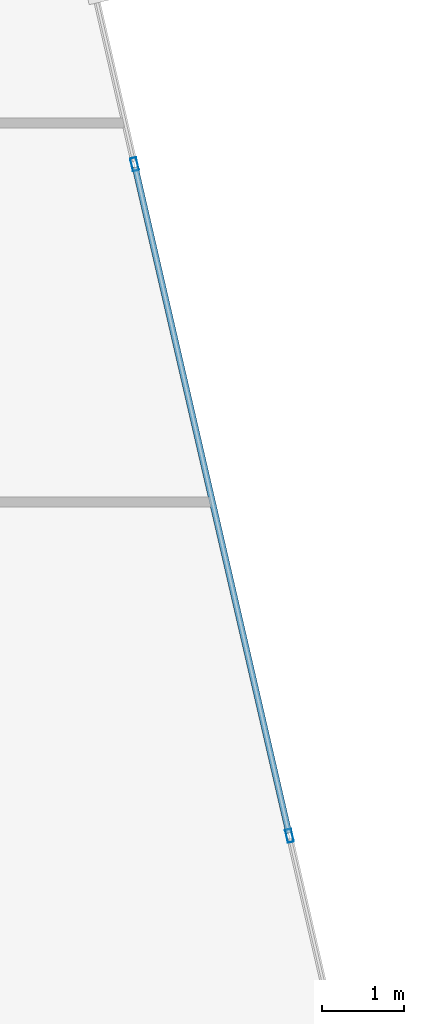
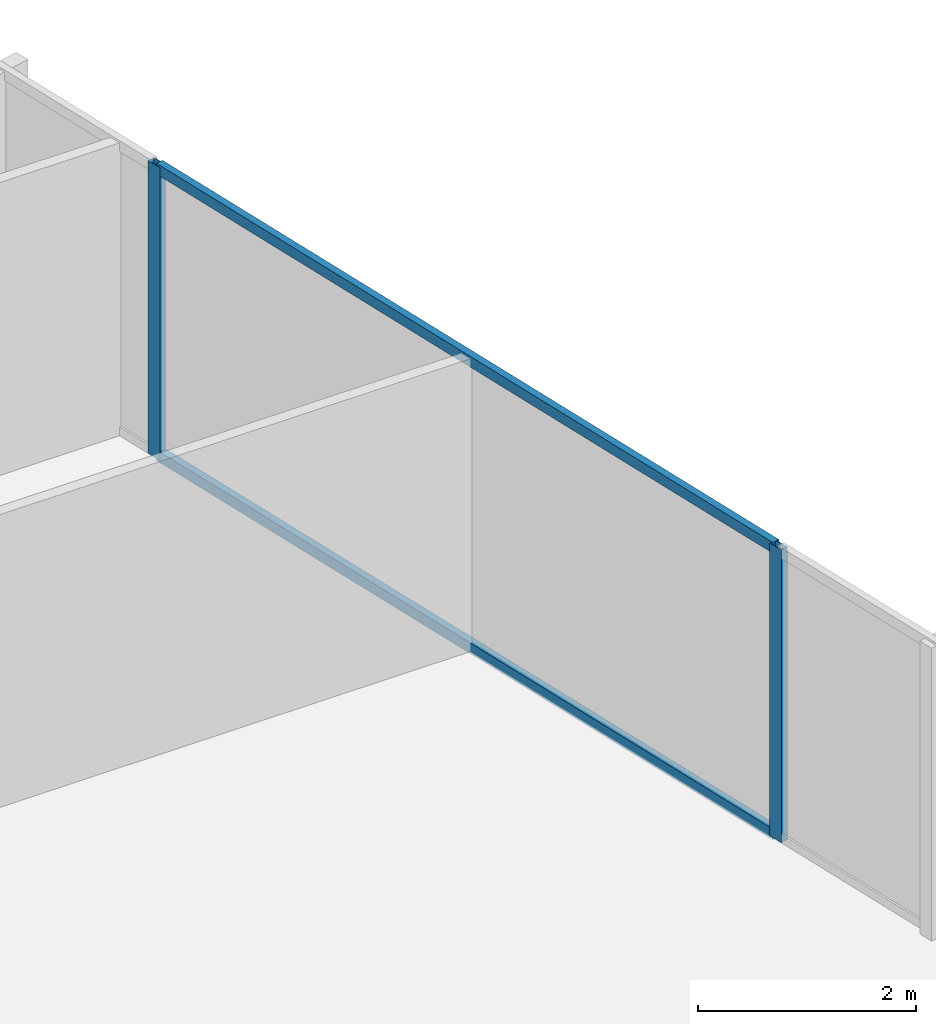
# One storey, part 20 of 28: 4 members, 1 element without a shape of its own.
"""IFC4 building model written with IfcOpenShell, lengths in metres."""

from ifc_helpers import new_model, si_unit, direction, frame, origin, origin_2d, place, context, subcontext, project, spatial, hollow_rectangle, extrude, material, layer, layer_set, material_profile, profile_set, type_object, element, aggregate, save


model = new_model("IFC4")

# Units and contexts
model_context = context("Model", 3, precision=1e-05, world=origin(), true_north=direction((0.0, 1.0)))
body_context = subcontext(model_context, "Body", "Model", "MODEL_VIEW")
ifc_project = project(units=[si_unit("LENGTHUNIT", "METRE"), si_unit("AREAUNIT", "SQUARE_METRE"), si_unit("VOLUMEUNIT", "CUBIC_METRE"), si_unit("PLANEANGLEUNIT", "RADIAN"), si_unit("MASSUNIT", "GRAM", prefix="KILO")], contexts=[model_context])

# Site, building, storey
site_placement = place(None, origin())
site = spatial("IfcSite", under=ifc_project, at=site_placement, CompositionType="ELEMENT")
building_placement = place(site_placement, origin())
building = spatial("IfcBuilding", under=site, at=building_placement, Name="Keshet Zoharim Tower", CompositionType="ELEMENT")
storey_placement = place(building_placement, frame((0.0, 0.0, 233.89990234375)))
storey = spatial("IfcBuildingStorey", under=building, at=storey_placement, Name="L58", CompositionType="ELEMENT", Elevation=233.89990234375)

# Curtain wall, members
ifc_material = material(Name="Aluminium 6063-T6", Category="aluminium")
ifc_layer = layer(ifc_material, 0.139892578125)
ifc_layer_set = layer_set([ifc_layer], Name="Aluminium 6063-T6")
curtain_wall_type = type_object("IfcCurtainWallType", Name="CW-SYS-05", PredefinedType="NOTDEFINED", material=ifc_layer_set)
curtain_wall_placement = place(storey_placement, origin())
curtain_wall = element("IfcCurtainWall", 1, at=curtain_wall_placement, inside=storey, type_object=curtain_wall_type, Name="L58 Unitised Curtain Wall 19", PredefinedType="NOTDEFINED")
ifc_material_profile_1 = material_profile(ifc_material, hollow_rectangle(XDim=0.074951171875, YDim=0.159912109375, WallThickness=0.00390625, at=origin_2d()), Name="MUL-75x160")
ifc_profile_set_1 = profile_set([ifc_material_profile_1], Name="Aluminium 6063-T6")
member_type_1 = type_object("IfcMemberType", Name="CWM-M15", PredefinedType="MULLION", material=ifc_profile_set_1)
member_1_placement = place(storey_placement, frame((41.23876953125, 44.199951171875, 0.0), z_axis=(0.0, 0.0, 1.0), x_axis=(0.974393882313, 0.224847864369, 0.0)))
member_1 = element("IfcMember", 2, at=member_1_placement, type_object=member_type_1, Name="CW-05 mullion 2", PredefinedType="MULLION", context=body_context, shape_type="SweptSolid", body=[
    extrude(hollow_rectangle(XDim=0.074951171875, YDim=0.159912109375, WallThickness=0.00390625, at=origin_2d()), origin(), (0.0, 0.0, 1.0), 3.280029296875),
])
member_2_placement = place(storey_placement, frame((43.119384765625, 36.050048828125, 0.0), z_axis=(0.0, 0.0, 1.0), x_axis=(0.974393882313, 0.224847864369, 0.0)))
member_2 = element("IfcMember", 3, at=member_2_placement, type_object=member_type_1, Name="CW-05 mullion 3", PredefinedType="MULLION", context=body_context, shape_type="SweptSolid", body=[
    extrude(hollow_rectangle(XDim=0.074951171875, YDim=0.159912109375, WallThickness=0.00390625, at=origin_2d()), origin(), (0.0, 0.0, 1.0), 3.280029296875),
])
ifc_material_profile_2 = material_profile(ifc_material, hollow_rectangle(XDim=0.074951171875, YDim=0.1201171875, WallThickness=0.00390625, at=origin_2d()), Name="TRN-75x120")
ifc_profile_set_2 = profile_set([ifc_material_profile_2], Name="Aluminium 6063-T6")
member_type_2 = type_object("IfcMemberType", Name="CWT-T12", PredefinedType="USERDEFINED", material=ifc_profile_set_2)
member_3_placement = place(storey_placement, frame((41.24658203125, 44.166015625, 0.03515625), z_axis=(0.224848758198, -0.974393676055, 0.0), x_axis=(0.974393676055, 0.224848758198, 0.0)))
member_3 = element("IfcMember", 4, at=member_3_placement, type_object=member_type_2, Name="CW-05 transom 2.1", ObjectType="TRANSOM", PredefinedType="USERDEFINED", context=body_context, shape_type="SweptSolid", body=[
    extrude(hollow_rectangle(XDim=0.074951171875, YDim=0.1201171875, WallThickness=0.00390625, at=origin_2d()), origin(), (0.0, 0.0, 1.0), 8.29443359375),
])
member_4_placement = place(storey_placement, frame((41.24658203125, 44.166015625, 3.2451171875), z_axis=(0.224848758198, -0.974393676055, 0.0), x_axis=(0.974393676055, 0.224848758198, 0.0)))
member_4 = element("IfcMember", 5, at=member_4_placement, type_object=member_type_2, Name="CW-05 transom 2.2", ObjectType="TRANSOM", PredefinedType="USERDEFINED", context=body_context, shape_type="SweptSolid", body=[
    extrude(hollow_rectangle(XDim=0.074951171875, YDim=0.1201171875, WallThickness=0.00390625, at=origin_2d()), origin(), (0.0, 0.0, 1.0), 8.29443359375),
])
aggregate(curtain_wall, [member_1, member_2, member_3, member_4])

save(model, "model.ifc")
